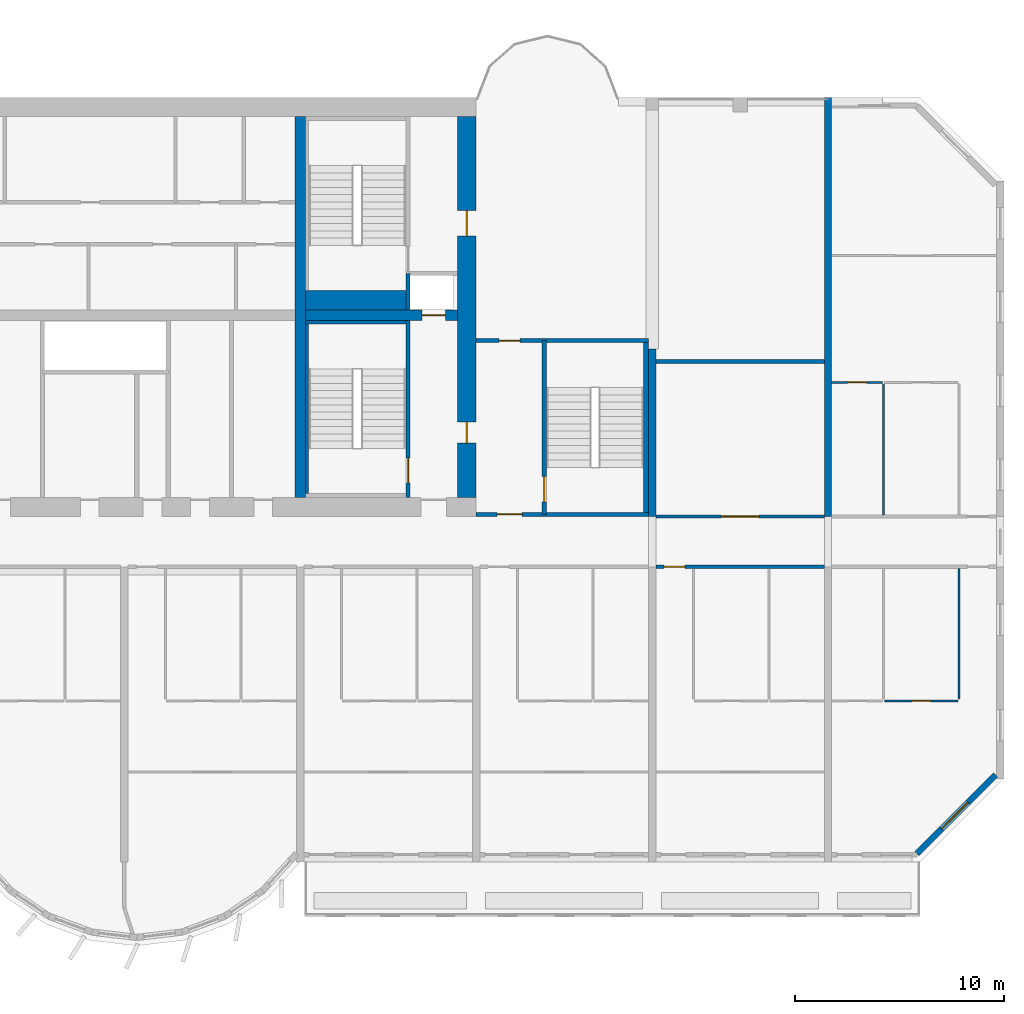
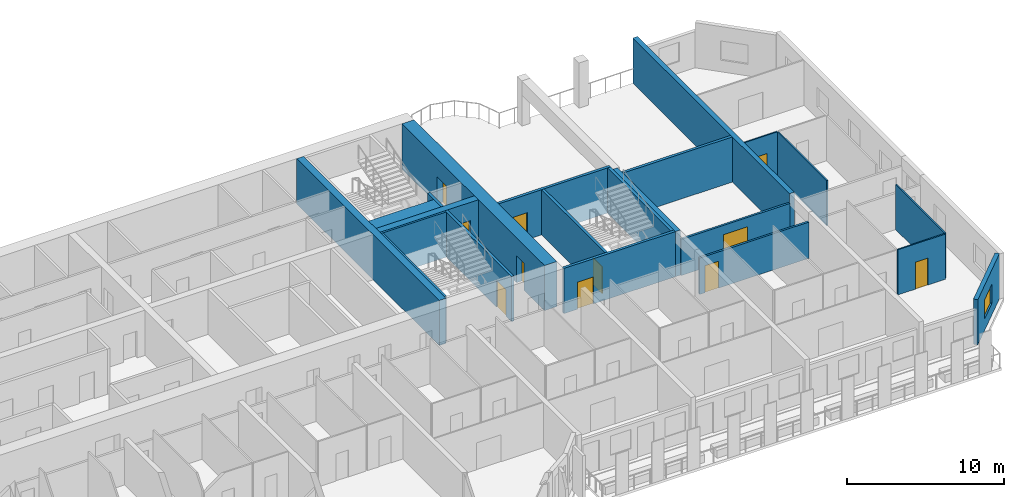
# One storey, part 10 of 15: 22 walls, 11 doors, 1 window, 12 openings.
"""IFC4 building model written with IfcOpenShell, lengths in metres."""

from ifc_helpers import new_model, si_unit, direction, frame, frame_2d, origin, place, context, subcontext, project, spatial, rectangle, extrude, source, transform, mapped, material, layer, layer_set, type_object, element, fill, save


model = new_model("IFC4")

# Units and contexts
model_context = context("Model", 3, precision=1e-05, world=origin(), true_north=direction((0.0, 1.0)))
body_context = subcontext(model_context, "Body", "Model", "MODEL_VIEW")
ifc_project = project(units=[si_unit("LENGTHUNIT", "METRE"), si_unit("AREAUNIT", "SQUARE_METRE"), si_unit("VOLUMEUNIT", "CUBIC_METRE"), si_unit("PLANEANGLEUNIT", "RADIAN"), si_unit("MASSUNIT", "GRAM", prefix="KILO")], contexts=[model_context])

# Site, building, storey
site_placement = place(None, origin())
site = spatial("IfcSite", under=ifc_project, at=site_placement, CompositionType="ELEMENT")
building_placement = place(site_placement, origin())
building = spatial("IfcBuilding", under=site, at=building_placement, Name="Vanashikhar Sky Hotel", CompositionType="ELEMENT")
storey_placement = place(building_placement, frame((0.0, 0.0, 137.0)))
storey = spatial("IfcBuildingStorey", under=building, at=storey_placement, Name="L33", CompositionType="ELEMENT", Elevation=137.0)

# Wall, openings, doors
ifc_material_1 = material(Name="Concrete M70", Category="concrete")
ifc_layer_1 = layer(ifc_material_1, 0.89990234375)
ifc_layer_set_1 = layer_set([ifc_layer_1], Name="RC core shell wall 900 Concrete M70")
wall_type_1 = type_object("IfcWallType", Name="RC core shell wall 900 Concrete M70", PredefinedType="SHEAR", material=ifc_layer_set_1)
shared_shape_1 = source(origin(), body_context, "Body", "SweptSolid", [
    extrude(rectangle(XDim=18.2001953125, YDim=0.89990234375, at=frame_2d((9.10009765625, 0.0))), origin(), (0.0, 0.0, 1.0), 3.52001953125),
])
wall_1_placement = place(storey_placement, frame((75.14990234375, 22.89990234375, 0.0), z_axis=(0.0, 0.0, 1.0), x_axis=(0.0, 1.0, 0.0)))
wall_1 = element("IfcWall", 1, at=wall_1_placement, inside=storey, type_object=wall_type_1, Name="KW-L33-KE", PredefinedType="SHEAR", context=body_context, shape_type="MappedRepresentation", body=[
    mapped(shared_shape_1, transform((0.0, 0.0, 0.0), scale=1.0)),
])
shared_shape_2 = source(origin(), body_context, "Body", "SweptSolid", [
    extrude(rectangle(XDim=1.0, YDim=2.10009765625, at=frame_2d((0.5, 1.050048828125))), frame((0.0, 0.4599609375, 0.0), z_axis=(0.0, -1.0, 0.0), x_axis=(1.0, 0.0, 0.0)), (0.0, 0.0, 1.0), 0.919921875),
])
opening_1_placement = place(wall_1_placement, frame((2.60009765625, 0.0, 0.0)))
opening_1 = element("IfcOpeningElement", 2, at=opening_1_placement, cuts=wall_1, Name="Opening DC-5", PredefinedType="OPENING", context=body_context, shape_type="MappedRepresentation", body=[
    mapped(shared_shape_2, transform((0.0, 0.0, 0.0), scale=1.0)),
])
shared_shape_3 = source(origin(), body_context, "Body", "SweptSolid", [
    extrude(rectangle(XDim=1.199951171875, YDim=2.10009765625, at=frame_2d((0.60009765625, 1.050048828125))), frame((0.0, 0.4599609375, 0.0), z_axis=(0.0, -1.0, 0.0), x_axis=(1.0, 0.0, 0.0)), (0.0, 0.0, 1.0), 0.919921875),
])
opening_2_placement = place(wall_1_placement, frame((12.5, 0.0, 0.0)))
opening_2 = element("IfcOpeningElement", 3, at=opening_2_placement, cuts=wall_1, Name="Opening DC-4-D", PredefinedType="OPENING", context=body_context, shape_type="MappedRepresentation", body=[
    mapped(shared_shape_3, transform((0.0, 0.0, 0.0), scale=1.0)),
])
ifc_material_2 = material(Name="Steel", Category="steel")
door_type_1 = type_object("IfcDoorType", Name="Refuge door 1000 FD120", OperationType="NOTDEFINED", PredefinedType="DOOR", material=ifc_material_2)
shared_shape_4 = source(origin(), body_context, "Body", "SweptSolid", [
    extrude(rectangle(XDim=1.0, YDim=2.10009765625, at=frame_2d((0.5, 1.050048828125))), frame((0.0, 0.02490234375, 0.0), z_axis=(0.0, -1.0, 0.0), x_axis=(1.0, 0.0, 0.0)), (0.0, 0.0, 1.0), 0.050048828125),
])
door_1_placement = place(opening_1_placement, origin())
door_1 = element("IfcDoor", 4, at=door_1_placement, inside=storey, type_object=door_type_1, Name="Refuge door 1000 FD120", OperationType="SINGLE_SWING_LEFT", OverallHeight=2.10009765625, OverallWidth=1.0, PredefinedType="DOOR", context=body_context, shape_type="MappedRepresentation", body=[
    mapped(shared_shape_4, transform((0.0, 0.0, 0.0), scale=1.0)),
])
fill(opening_1, door_1)
door_type_2 = type_object("IfcDoorType", Name="Service door 1200 FD120", OperationType="NOTDEFINED", PredefinedType="DOOR", material=ifc_material_2)
shared_shape_5 = source(origin(), body_context, "Body", "SweptSolid", [
    extrude(rectangle(XDim=1.199951171875, YDim=2.10009765625, at=frame_2d((0.60009765625, 1.050048828125))), frame((0.0, 0.02490234375, 0.0), z_axis=(0.0, -1.0, 0.0), x_axis=(1.0, 0.0, 0.0)), (0.0, 0.0, 1.0), 0.050048828125),
])
door_2_placement = place(opening_2_placement, origin())
door_2 = element("IfcDoor", 5, at=door_2_placement, inside=storey, type_object=door_type_2, Name="Service door 1200 FD120", OperationType="SINGLE_SWING_LEFT", OverallHeight=2.10009765625, OverallWidth=1.199951171875, PredefinedType="DOOR", context=body_context, shape_type="MappedRepresentation", body=[
    mapped(shared_shape_5, transform((0.0, 0.0, 0.0), scale=1.0)),
])
fill(opening_2, door_2)

# Wall
ifc_layer_2 = layer(ifc_material_1, 0.5)
ifc_layer_set_2 = layer_set([ifc_layer_2], Name="RC core inner wall 500 Concrete M70")
wall_type_2 = type_object("IfcWallType", Name="RC core inner wall 500 Concrete M70", PredefinedType="SHEAR", material=ifc_layer_set_2)
shared_shape_6 = source(origin(), body_context, "Body", "SweptSolid", [
    extrude(rectangle(XDim=18.2001953125, YDim=0.5, at=frame_2d((9.10009765625, 0.0))), origin(), (0.0, 0.0, 1.0), 3.52001953125),
])
wall_2_placement = place(storey_placement, frame((67.199951171875, 22.89990234375, 0.0), z_axis=(0.0, 0.0, 1.0), x_axis=(0.0, 1.0, 0.0)))
element("IfcWall", 6, at=wall_2_placement, inside=storey, type_object=wall_type_2, Name="KW-L33-KX3", PredefinedType="SHEAR", context=body_context, shape_type="MappedRepresentation", body=[
    mapped(shared_shape_6, transform((0.0, 0.0, 0.0), scale=1.0)),
])

# Wall, opening, door
shared_shape_7 = source(origin(), body_context, "Body", "SweptSolid", [
    extrude(rectangle(XDim=7.25, YDim=0.5, at=frame_2d((3.625, 0.0))), origin(), (0.0, 0.0, 1.0), 3.52001953125),
])
wall_3_placement = place(storey_placement, frame((67.449951171875, 31.60009765625, 0.0), z_axis=(0.0, 0.0, 1.0), x_axis=(1.0, 0.0, 0.0)))
wall_3 = element("IfcWall", 7, at=wall_3_placement, inside=storey, type_object=wall_type_2, Name="KW-L33-KY4", PredefinedType="SHEAR", context=body_context, shape_type="MappedRepresentation", body=[
    mapped(shared_shape_7, transform((0.0, 0.0, 0.0), scale=1.0)),
])
shared_shape_8 = source(origin(), body_context, "Body", "SweptSolid", [
    extrude(rectangle(XDim=1.10009765625, YDim=2.10009765625, at=frame_2d((0.550048828125, 1.050048828125))), frame((0.0, 0.260009765625, 0.0), z_axis=(0.0, -1.0, 0.0), x_axis=(1.0, 0.0, 0.0)), (0.0, 0.0, 1.0), 0.52001953125),
])
opening_3_placement = place(wall_3_placement, frame((5.574951171875, 0.0, 0.0)))
opening_3 = element("IfcOpeningElement", 8, at=opening_3_placement, cuts=wall_3, Name="Opening LD", PredefinedType="OPENING", context=body_context, shape_type="MappedRepresentation", body=[
    mapped(shared_shape_8, transform((0.0, 0.0, 0.0), scale=1.0)),
])
ifc_material_3 = material(Name="Stainless steel", Category="steel")
door_type_3 = type_object("IfcDoorType", Name="Lift landing door 1100", OperationType="NOTDEFINED", PredefinedType="DOOR", material=ifc_material_3)
shared_shape_9 = source(origin(), body_context, "Body", "SweptSolid", [
    extrude(rectangle(XDim=1.10009765625, YDim=2.10009765625, at=frame_2d((0.550048828125, 1.050048828125))), frame((0.0, 0.02490234375, 0.0), z_axis=(0.0, -1.0, 0.0), x_axis=(1.0, 0.0, 0.0)), (0.0, 0.0, 1.0), 0.050048828125),
])
door_3_placement = place(opening_3_placement, origin())
door_3 = element("IfcDoor", 9, at=door_3_placement, inside=storey, type_object=door_type_3, Name="Lift landing door 1100", OperationType="SLIDING_TO_RIGHT", OverallHeight=2.10009765625, OverallWidth=1.10009765625, PredefinedType="DOOR", context=body_context, shape_type="MappedRepresentation", body=[
    mapped(shared_shape_9, transform((0.0, 0.0, 0.0), scale=1.0)),
])
fill(opening_3, door_3)

# Walls
ifc_layer_3 = layer(ifc_material_1, 0.35009765625)
ifc_layer_set_3 = layer_set([ifc_layer_3], Name="RC shear wall 350 Concrete M70")
wall_type_3 = type_object("IfcWallType", Name="RC shear wall 350 Concrete M70", PredefinedType="SHEAR", material=ifc_layer_set_3)
shared_shape_10 = source(origin(), body_context, "Body", "SweptSolid", [
    extrude(rectangle(XDim=20.0, YDim=0.35009765625, at=frame_2d((10.0, 0.0))), origin(), (0.0, 0.0, 1.0), 3.52001953125),
])
wall_4_placement = place(storey_placement, frame((92.39990234375, 22.0, 0.0), z_axis=(0.0, 0.0, 1.0), x_axis=(0.0, 1.0, 0.0)))
element("IfcWall", 10, at=wall_4_placement, inside=storey, type_object=wall_type_3, Name="CW-L33-XW12-2", PredefinedType="SHEAR", context=body_context, shape_type="MappedRepresentation", body=[
    mapped(shared_shape_10, transform((0.0, 0.0, 0.0), scale=1.0)),
])
shared_shape_11 = source(origin(), body_context, "Body", "SweptSolid", [
    extrude(rectangle(XDim=8.0, YDim=0.35009765625, at=frame_2d((4.0, 0.0))), origin(), (0.0, 0.0, 1.0), 3.52001953125),
])
wall_5_placement = place(storey_placement, frame((84.0, 22.0, 0.0), z_axis=(0.0, 0.0, 1.0), x_axis=(0.0, 1.0, 0.0)))
element("IfcWall", 11, at=wall_5_placement, inside=storey, type_object=wall_type_3, Name="CW-L33-XW11-2", PredefinedType="SHEAR", context=body_context, shape_type="MappedRepresentation", body=[
    mapped(shared_shape_11, transform((0.0, 0.0, 0.0), scale=1.0)),
])

# Wall, opening, window
ifc_material_4 = material(Name="Concrete M50", Category="concrete")
ifc_layer_4 = layer(ifc_material_4, 0.300048828125)
ifc_layer_set_4 = layer_set([ifc_layer_4], Name="Lobe wall 300")
wall_type_4 = type_object("IfcWallType", Name="Lobe wall 300", PredefinedType="SOLIDWALL", material=ifc_layer_set_4)
shared_shape_12 = source(origin(), body_context, "Body", "SweptSolid", [
    extrude(rectangle(XDim=5.32568359375, YDim=0.300048828125, at=frame_2d((2.662841796875, 0.0))), origin(), (0.0, 0.0, 1.0), 3.52001953125),
])
wall_6_placement = place(storey_placement, frame((96.63427734375, 5.89990234375, 0.0), z_axis=(0.0, 0.0, 1.0), x_axis=(0.707083859269, 0.707129702361, 0.0)))
wall_6 = element("IfcWall", 12, at=wall_6_placement, inside=storey, type_object=wall_type_4, Name="Corner wall", PredefinedType="SOLIDWALL", context=body_context, shape_type="MappedRepresentation", body=[
    mapped(shared_shape_12, transform((0.0, 0.0, 0.0), scale=1.0)),
])
shared_shape_13 = source(origin(), body_context, "Body", "SweptSolid", [
    extrude(rectangle(XDim=1.800048828125, YDim=1.5, at=frame_2d((0.89990234375, 0.75))), frame((0.0, 0.16015625, 0.0), z_axis=(0.0, -1.0, 0.0), x_axis=(1.0, 0.0, 0.0)), (0.0, 0.0, 1.0), 0.320068359375),
])
opening_4_placement = place(wall_6_placement, frame((1.671875, 0.0, 0.89990234375)))
opening_4 = element("IfcOpeningElement", 13, at=opening_4_placement, cuts=wall_6, Name="Opening WN-4", PredefinedType="OPENING", context=body_context, shape_type="MappedRepresentation", body=[
    mapped(shared_shape_13, transform((0.0, 0.0, 0.0), scale=1.0)),
])
ifc_material_5 = material(Name="Glass", Category="glass")
window_type = type_object("IfcWindowType", Name="Corner window 1800 x 1500", PartitioningType="SINGLE_PANEL", PredefinedType="WINDOW", material=ifc_material_5)
shared_shape_14 = source(origin(), body_context, "Body", "SweptSolid", [
    extrude(rectangle(XDim=1.800048828125, YDim=1.5, at=frame_2d((0.89990234375, 0.75))), frame((0.0, 0.030029296875, 0.0), z_axis=(0.0, -1.0, 0.0), x_axis=(1.0, 0.0, 0.0)), (0.0, 0.0, 1.0), 0.06005859375),
])
window_placement = place(opening_4_placement, origin())
window = element("IfcWindow", 14, at=window_placement, inside=storey, type_object=window_type, Name="Window WN-4", OverallHeight=1.5, OverallWidth=1.800048828125, PartitioningType="SINGLE_PANEL", PredefinedType="WINDOW", context=body_context, shape_type="MappedRepresentation", body=[
    mapped(shared_shape_14, transform((0.0, 0.0, 0.0), scale=1.0)),
])
fill(opening_4, window)

# Wall, opening, door
ifc_layer_5 = layer(ifc_material_4, 0.199951171875)
ifc_layer_set_5 = layer_set([ifc_layer_5], Name="Stair wall 200")
wall_type_5 = type_object("IfcWallType", Name="Stair wall 200", PredefinedType="SOLIDWALL", material=ifc_layer_set_5)
shared_shape_15 = source(origin(), body_context, "Body", "SweptSolid", [
    extrude(rectangle(XDim=8.2998046875, YDim=0.199951171875, at=frame_2d((4.14990234375, 0.0))), origin(), (0.0, 0.0, 1.0), 3.52001953125),
])
wall_7_placement = place(storey_placement, frame((78.85009765625, 22.10009765625, 0.0), z_axis=(0.0, 0.0, 1.0), x_axis=(0.0, 1.0, 0.0)))
wall_7 = element("IfcWall", 15, at=wall_7_placement, inside=storey, type_object=wall_type_5, Name="Stair wall 200", PredefinedType="SOLIDWALL", context=body_context, shape_type="MappedRepresentation", body=[
    mapped(shared_shape_15, transform((0.0, 0.0, 0.0), scale=1.0)),
])
shared_shape_16 = source(origin(), body_context, "Body", "SweptSolid", [
    extrude(rectangle(XDim=1.199951171875, YDim=2.10009765625, at=frame_2d((0.60009765625, 1.050048828125))), frame((0.0, 0.10986328125, 0.0), z_axis=(0.0, -1.0, 0.0), x_axis=(1.0, 0.0, 0.0)), (0.0, 0.0, 1.0), 0.219970703125),
])
opening_5_placement = place(wall_7_placement, frame((0.60009765625, 0.0, 0.0)))
opening_5 = element("IfcOpeningElement", 16, at=opening_5_placement, cuts=wall_7, Name="Opening DC-1", PredefinedType="OPENING", context=body_context, shape_type="MappedRepresentation", body=[
    mapped(shared_shape_16, transform((0.0, 0.0, 0.0), scale=1.0)),
])
door_type_4 = type_object("IfcDoorType", Name="Stair door 1200 FD120", OperationType="NOTDEFINED", PredefinedType="DOOR", material=ifc_material_2)
door_4_placement = place(opening_5_placement, origin())
door_4 = element("IfcDoor", 17, at=door_4_placement, inside=storey, type_object=door_type_4, Name="Stair door 1200 FD120", OperationType="SINGLE_SWING_RIGHT", OverallHeight=2.10009765625, OverallWidth=1.199951171875, PredefinedType="DOOR", context=body_context, shape_type="MappedRepresentation", body=[
    mapped(shared_shape_5, transform((0.0, 0.0, 0.0), scale=1.0)),
])
fill(opening_5, door_4)

shared_shape_17 = source(origin(), body_context, "Body", "SweptSolid", [
    extrude(rectangle(XDim=8.4501953125, YDim=0.199951171875, at=frame_2d((4.22509765625, 0.0))), origin(), (0.0, 0.0, 1.0), 3.52001953125),
])
wall_8_placement = place(storey_placement, frame((72.35009765625, 22.89990234375, 0.0), z_axis=(0.0, 0.0, 1.0), x_axis=(0.0, 1.0, 0.0)))
wall_8 = element("IfcWall", 18, at=wall_8_placement, inside=storey, type_object=wall_type_5, Name="Stair wall 200", PredefinedType="SOLIDWALL", context=body_context, shape_type="MappedRepresentation", body=[
    mapped(shared_shape_17, transform((0.0, 0.0, 0.0), scale=1.0)),
])
opening_6_placement = place(wall_8_placement, frame((0.699951171875, 0.0, 0.0)))
opening_6 = element("IfcOpeningElement", 19, at=opening_6_placement, cuts=wall_8, Name="Opening DC-1", PredefinedType="OPENING", context=body_context, shape_type="MappedRepresentation", body=[
    mapped(shared_shape_16, transform((0.0, 0.0, 0.0), scale=1.0)),
])
door_5_placement = place(opening_6_placement, origin())
door_5 = element("IfcDoor", 20, at=door_5_placement, inside=storey, type_object=door_type_4, Name="Stair door 1200 FD120", OperationType="SINGLE_SWING_RIGHT", OverallHeight=2.10009765625, OverallWidth=1.199951171875, PredefinedType="DOOR", context=body_context, shape_type="MappedRepresentation", body=[
    mapped(shared_shape_5, transform((0.0, 0.0, 0.0), scale=1.0)),
])
fill(opening_6, door_5)

# Wall
ifc_material_6 = material(Name="Concrete M40", Category="concrete")
ifc_layer_6 = layer(ifc_material_6, 0.199951171875)
ifc_layer_set_6 = layer_set([ifc_layer_6], Name="Shaft wall 200")
wall_type_6 = type_object("IfcWallType", Name="Shaft wall 200", PredefinedType="SOLIDWALL", material=ifc_layer_set_6)
shared_shape_18 = source(origin(), body_context, "Body", "SweptSolid", [
    extrude(rectangle(XDim=1.75, YDim=0.199951171875, at=frame_2d((0.875, 0.0))), origin(), (0.0, 0.0, 1.0), 3.52001953125),
])
wall_9_placement = place(storey_placement, frame((72.35009765625, 31.85009765625, 0.0), z_axis=(0.0, 0.0, 1.0), x_axis=(0.0, 1.0, 0.0)))
element("IfcWall", 21, at=wall_9_placement, inside=storey, type_object=wall_type_6, Name="Shaft wall 200", PredefinedType="SOLIDWALL", context=body_context, shape_type="MappedRepresentation", body=[
    mapped(shared_shape_18, transform((0.0, 0.0, 0.0), scale=1.0)),
])

# Wall, opening, door
shared_shape_19 = source(origin(), body_context, "Body", "SweptSolid", [
    extrude(rectangle(XDim=8.224853515625, YDim=0.199951171875, at=frame_2d((4.1123046875, 0.0))), origin(), (0.0, 0.0, 1.0), 3.52001953125),
])
wall_10_placement = place(storey_placement, frame((83.824951171875, 22.10009765625, 0.0), z_axis=(0.0, 0.0, 1.0), x_axis=(-1.0, 0.0, 0.0)))
wall_10 = element("IfcWall", 22, at=wall_10_placement, inside=storey, type_object=wall_type_5, Name="Stair wall 200", PredefinedType="SOLIDWALL", context=body_context, shape_type="MappedRepresentation", body=[
    mapped(shared_shape_19, transform((0.0, 0.0, 0.0), scale=1.0)),
])
opening_7_placement = place(wall_10_placement, frame((6.02490234375, 0.0, 0.0)))
opening_7 = element("IfcOpeningElement", 23, at=opening_7_placement, cuts=wall_10, Name="Opening DC-2", PredefinedType="OPENING", context=body_context, shape_type="MappedRepresentation", body=[
    mapped(shared_shape_16, transform((0.0, 0.0, 0.0), scale=1.0)),
])
door_type_5 = type_object("IfcDoorType", Name="Firefighting lobby door 1200 FD120", OperationType="NOTDEFINED", PredefinedType="DOOR", material=ifc_material_2)
door_6_placement = place(opening_7_placement, origin())
door_6 = element("IfcDoor", 24, at=door_6_placement, inside=storey, type_object=door_type_5, Name="Firefighting lobby door 1200 FD120", OperationType="SINGLE_SWING_LEFT", OverallHeight=2.10009765625, OverallWidth=1.199951171875, PredefinedType="DOOR", context=body_context, shape_type="MappedRepresentation", body=[
    mapped(shared_shape_5, transform((0.0, 0.0, 0.0), scale=1.0)),
])
fill(opening_7, door_6)

wall_11_placement = place(storey_placement, frame((83.824951171875, 30.39990234375, 0.0), z_axis=(0.0, 0.0, 1.0), x_axis=(-1.0, 0.0, 0.0)))
wall_11 = element("IfcWall", 25, at=wall_11_placement, inside=storey, type_object=wall_type_5, Name="Stair wall 200", PredefinedType="SOLIDWALL", context=body_context, shape_type="MappedRepresentation", body=[
    mapped(shared_shape_19, transform((0.0, 0.0, 0.0), scale=1.0)),
])
shared_shape_20 = source(origin(), body_context, "Body", "SweptSolid", [
    extrude(rectangle(XDim=1.0, YDim=2.10009765625, at=frame_2d((0.5, 1.050048828125))), frame((0.0, 0.10986328125, 0.0), z_axis=(0.0, -1.0, 0.0), x_axis=(1.0, 0.0, 0.0)), (0.0, 0.0, 1.0), 0.219970703125),
])
opening_8_placement = place(wall_11_placement, frame((6.125, 0.0, 0.0)))
opening_8 = element("IfcOpeningElement", 26, at=opening_8_placement, cuts=wall_11, Name="Opening DC-6", PredefinedType="OPENING", context=body_context, shape_type="MappedRepresentation", body=[
    mapped(shared_shape_20, transform((0.0, 0.0, 0.0), scale=1.0)),
])
door_type_6 = type_object("IfcDoorType", Name="Pocket door 1000 FD60", OperationType="NOTDEFINED", PredefinedType="DOOR", material=ifc_material_2)
door_7_placement = place(opening_8_placement, origin())
door_7 = element("IfcDoor", 27, at=door_7_placement, inside=storey, type_object=door_type_6, Name="Pocket door 1000 FD60", OperationType="SINGLE_SWING_LEFT", OverallHeight=2.10009765625, OverallWidth=1.0, PredefinedType="DOOR", context=body_context, shape_type="MappedRepresentation", body=[
    mapped(shared_shape_4, transform((0.0, 0.0, 0.0), scale=1.0)),
])
fill(opening_8, door_7)

# Walls
ifc_layer_7 = layer(ifc_material_4, 0.14990234375)
ifc_layer_set_7 = layer_set([ifc_layer_7], Name="Stair infill wall 150")
wall_type_7 = type_object("IfcWallType", Name="Stair infill wall 150", PredefinedType="SOLIDWALL", material=ifc_layer_set_7)
shared_shape_21 = source(origin(), body_context, "Body", "SweptSolid", [
    extrude(rectangle(XDim=4.800048828125, YDim=0.14990234375, at=frame_2d((2.39990234375, 0.0))), origin(), (0.0, 0.0, 1.0), 3.52001953125),
])
wall_12_placement = place(storey_placement, frame((67.449951171875, 31.27490234375, 0.0), z_axis=(0.0, 0.0, 1.0), x_axis=(1.0, 0.0, 0.0)))
element("IfcWall", 28, at=wall_12_placement, inside=storey, type_object=wall_type_7, Name="Stair infill wall 150", PredefinedType="SOLIDWALL", context=body_context, shape_type="MappedRepresentation", body=[
    mapped(shared_shape_21, transform((0.0, 0.0, 0.0), scale=1.0)),
])
shared_shape_22 = source(origin(), body_context, "Body", "SweptSolid", [
    extrude(rectangle(XDim=8.099853515625, YDim=0.14990234375, at=frame_2d((4.0498046875, 0.0))), origin(), (0.0, 0.0, 1.0), 3.52001953125),
])
wall_13_placement = place(storey_placement, frame((67.52490234375, 23.10009765625, 0.0), z_axis=(0.0, 0.0, 1.0), x_axis=(0.0, 1.0, 0.0)))
element("IfcWall", 29, at=wall_13_placement, inside=storey, type_object=wall_type_7, Name="Stair infill wall 150", PredefinedType="SOLIDWALL", context=body_context, shape_type="MappedRepresentation", body=[
    mapped(shared_shape_22, transform((0.0, 0.0, 0.0), scale=1.0)),
])
ifc_layer_8 = layer(ifc_material_4, 0.22509765625)
ifc_layer_set_8 = layer_set([ifc_layer_8], Name="Stair infill wall 225")
wall_type_8 = type_object("IfcWallType", Name="Stair infill wall 225", PredefinedType="SOLIDWALL", material=ifc_layer_set_8)
shared_shape_23 = source(origin(), body_context, "Body", "SweptSolid", [
    extrude(rectangle(XDim=8.10009765625, YDim=0.22509765625, at=frame_2d((4.050048828125, 0.0))), origin(), (0.0, 0.0, 1.0), 3.52001953125),
])
wall_14_placement = place(storey_placement, frame((83.712890625, 22.199951171875, 0.0), z_axis=(0.0, 0.0, 1.0), x_axis=(0.0, 1.0, 0.0)))
element("IfcWall", 30, at=wall_14_placement, inside=storey, type_object=wall_type_8, Name="Stair infill wall 225", PredefinedType="SOLIDWALL", context=body_context, shape_type="MappedRepresentation", body=[
    mapped(shared_shape_23, transform((0.0, 0.0, 0.0), scale=1.0)),
])
ifc_layer_9 = layer(ifc_material_4, 0.949951171875)
ifc_layer_set_9 = layer_set([ifc_layer_9], Name="Stair infill wall 950")
wall_type_9 = type_object("IfcWallType", Name="Stair infill wall 950", PredefinedType="SOLIDWALL", material=ifc_layer_set_9)
shared_shape_24 = source(origin(), body_context, "Body", "SweptSolid", [
    extrude(rectangle(XDim=4.800048828125, YDim=0.949951171875, at=frame_2d((2.39990234375, 0.0))), origin(), (0.0, 0.0, 1.0), 3.52001953125),
])
wall_15_placement = place(storey_placement, frame((67.449951171875, 32.324951171875, 0.0), z_axis=(0.0, 0.0, 1.0), x_axis=(1.0, 0.0, 0.0)))
element("IfcWall", 31, at=wall_15_placement, inside=storey, type_object=wall_type_9, Name="Stair infill wall 950", PredefinedType="SOLIDWALL", context=body_context, shape_type="MappedRepresentation", body=[
    mapped(shared_shape_24, transform((0.0, 0.0, 0.0), scale=1.0)),
])

# Wall, opening, door
ifc_material_7 = material(Name="Gypsum plasterboard partition")
ifc_layer_10 = layer(ifc_material_7, 0.10009765625)
ifc_layer_set_10 = layer_set([ifc_layer_10], Name="Wet room partition 100")
wall_type_10 = type_object("IfcWallType", Name="Wet room partition 100", PredefinedType="PARTITIONING", material=ifc_layer_set_10)
shared_shape_25 = source(origin(), body_context, "Body", "SweptSolid", [
    extrude(rectangle(XDim=3.5, YDim=0.10009765625, at=frame_2d((1.75, 0.0))), origin(), (0.0, 0.0, 1.0), 3.52001953125),
])
wall_16_placement = place(storey_placement, frame((95.10009765625, 13.199951171875, 0.0), z_axis=(0.0, 0.0, 1.0), x_axis=(1.0, 0.0, 0.0)))
wall_16 = element("IfcWall", 32, at=wall_16_placement, inside=storey, type_object=wall_type_10, Name="W-L33-PW067", PredefinedType="PARTITIONING", context=body_context, shape_type="MappedRepresentation", body=[
    mapped(shared_shape_25, transform((0.0, 0.0, 0.0), scale=1.0)),
])
shared_shape_26 = source(origin(), body_context, "Body", "SweptSolid", [
    extrude(rectangle(XDim=0.89990234375, YDim=2.10009765625, at=frame_2d((0.449951171875, 1.050048828125))), frame((0.0, 0.06005859375, 0.0), z_axis=(0.0, -1.0, 0.0), x_axis=(1.0, 0.0, 0.0)), (0.0, 0.0, 1.0), 0.1201171875),
])
opening_9_placement = place(wall_16_placement, frame((1.300048828125, 0.0, 0.0)))
opening_9 = element("IfcOpeningElement", 33, at=opening_9_placement, cuts=wall_16, Name="Opening D-02", PredefinedType="OPENING", context=body_context, shape_type="MappedRepresentation", body=[
    mapped(shared_shape_26, transform((0.0, 0.0, 0.0), scale=1.0)),
])
ifc_material_8 = material(Name="Timber door", Category="wood")
door_type_7 = type_object("IfcDoorType", Name="Internal door 900", OperationType="NOTDEFINED", PredefinedType="DOOR", material=ifc_material_8)
shared_shape_27 = source(origin(), body_context, "Body", "SweptSolid", [
    extrude(rectangle(XDim=0.89990234375, YDim=2.10009765625, at=frame_2d((0.449951171875, 1.050048828125))), frame((0.0, 0.02490234375, 0.0), z_axis=(0.0, -1.0, 0.0), x_axis=(1.0, 0.0, 0.0)), (0.0, 0.0, 1.0), 0.050048828125),
])
door_8_placement = place(opening_9_placement, origin())
door_8 = element("IfcDoor", 34, at=door_8_placement, inside=storey, type_object=door_type_7, Name="D-L33-042", OperationType="SINGLE_SWING_RIGHT", OverallHeight=2.10009765625, OverallWidth=0.89990234375, PredefinedType="DOOR", context=body_context, shape_type="MappedRepresentation", body=[
    mapped(shared_shape_27, transform((0.0, 0.0, 0.0), scale=1.0)),
])
fill(opening_9, door_8)

# Walls
shared_shape_28 = source(origin(), body_context, "Body", "SweptSolid", [
    extrude(rectangle(XDim=6.25, YDim=0.10009765625, at=frame_2d((3.125, 0.0))), origin(), (0.0, 0.0, 1.0), 3.52001953125),
])
for number, where, z_axis, x_axis, name in (
    (35, (98.64990234375, 13.27490234375, 0.0), (0.0, 0.0, 1.0), (0.0, 1.0, 0.0), "W-L33-PW065"),
    (36, (95.050048828125, 22.074951171875, 0.0), (0.0, 0.0, 1.0), (0.0, 1.0, 0.0), "W-L33-PW088"),
):
    element("IfcWall", number, at=place(storey_placement, frame(where, z_axis=z_axis, x_axis=x_axis)), inside=storey, type_object=wall_type_10, Name=name, PredefinedType="PARTITIONING", context=body_context, shape_type="MappedRepresentation", body=[
        mapped(shared_shape_28, transform((0.0, 0.0, 0.0), scale=1.0)),
    ])

# Wall, opening, door
ifc_layer_11 = layer(ifc_material_7, 0.14990234375)
ifc_layer_set_11 = layer_set([ifc_layer_11], Name="Corridor and demising partition 150")
wall_type_11 = type_object("IfcWallType", Name="Corridor and demising partition 150", PredefinedType="PARTITIONING", material=ifc_layer_set_11)
shared_shape_29 = source(origin(), body_context, "Body", "SweptSolid", [
    extrude(rectangle(XDim=8.050048828125, YDim=0.14990234375, at=frame_2d((4.02490234375, 0.0))), origin(), (0.0, 0.0, 1.0), 2.820068359375),
])
wall_17_placement = place(storey_placement, frame((84.175048828125, 19.60009765625, 0.0), z_axis=(0.0, 0.0, 1.0), x_axis=(1.0, 0.0, 0.0)))
wall_17 = element("IfcWall", 37, at=wall_17_placement, inside=storey, type_object=wall_type_11, Name="W-L33-PW064", PredefinedType="PARTITIONING", context=body_context, shape_type="MappedRepresentation", body=[
    mapped(shared_shape_29, transform((0.0, 0.0, 0.0), scale=1.0)),
])
shared_shape_30 = source(origin(), body_context, "Body", "SweptSolid", [
    extrude(rectangle(XDim=1.0, YDim=2.10009765625, at=frame_2d((0.5, 1.050048828125))), frame((0.0, 0.0849609375, 0.0), z_axis=(0.0, -1.0, 0.0), x_axis=(1.0, 0.0, 0.0)), (0.0, 0.0, 1.0), 0.169921875),
])
opening_10_placement = place(wall_17_placement, frame((0.39990234375, 0.0, 0.0)))
opening_10 = element("IfcOpeningElement", 38, at=opening_10_placement, cuts=wall_17, Name="Opening D-01", PredefinedType="OPENING", context=body_context, shape_type="MappedRepresentation", body=[
    mapped(shared_shape_30, transform((0.0, 0.0, 0.0), scale=1.0)),
])
ifc_material_9 = material(Name="Timber fire door", Category="wood")
door_type_8 = type_object("IfcDoorType", Name="Guest entry door 1000 FD30S", OperationType="NOTDEFINED", PredefinedType="DOOR", material=ifc_material_9)
door_9_placement = place(opening_10_placement, origin())
door_9 = element("IfcDoor", 39, at=door_9_placement, inside=storey, type_object=door_type_8, Name="D-L33-041", OperationType="SINGLE_SWING_LEFT", OverallHeight=2.10009765625, OverallWidth=1.0, PredefinedType="DOOR", context=body_context, shape_type="MappedRepresentation", body=[
    mapped(shared_shape_4, transform((0.0, 0.0, 0.0), scale=1.0)),
])
fill(opening_10, door_9)

wall_18_placement = place(storey_placement, frame((84.175048828125, 22.0, 0.0), z_axis=(0.0, 0.0, 1.0), x_axis=(1.0, 0.0, 0.0)))
wall_18 = element("IfcWall", 40, at=wall_18_placement, inside=storey, type_object=wall_type_11, Name="W-L33-PW085", PredefinedType="PARTITIONING", context=body_context, shape_type="MappedRepresentation", body=[
    mapped(shared_shape_29, transform((0.0, 0.0, 0.0), scale=1.0)),
])
shared_shape_31 = source(origin(), body_context, "Body", "SweptSolid", [
    extrude(rectangle(XDim=1.800048828125, YDim=2.10009765625, at=frame_2d((0.89990234375, 1.050048828125))), frame((0.0, 0.0849609375, 0.0), z_axis=(0.0, -1.0, 0.0), x_axis=(1.0, 0.0, 0.0)), (0.0, 0.0, 1.0), 0.169921875),
])
opening_11_placement = place(wall_18_placement, frame((3.125, 0.0, 0.0)))
opening_11 = element("IfcOpeningElement", 41, at=opening_11_placement, cuts=wall_18, Name="Opening D-03", PredefinedType="OPENING", context=body_context, shape_type="MappedRepresentation", body=[
    mapped(shared_shape_31, transform((0.0, 0.0, 0.0), scale=1.0)),
])
door_type_9 = type_object("IfcDoorType", Name="Double leaf door 1800 FD30S", OperationType="NOTDEFINED", PredefinedType="DOOR", material=ifc_material_9)
shared_shape_32 = source(origin(), body_context, "Body", "SweptSolid", [
    extrude(rectangle(XDim=1.800048828125, YDim=2.10009765625, at=frame_2d((0.89990234375, 1.050048828125))), frame((0.0, 0.02490234375, 0.0), z_axis=(0.0, -1.0, 0.0), x_axis=(1.0, 0.0, 0.0)), (0.0, 0.0, 1.0), 0.050048828125),
])
door_10_placement = place(opening_11_placement, origin())
door_10 = element("IfcDoor", 42, at=door_10_placement, inside=storey, type_object=door_type_9, Name="D-L33-053", OperationType="DOUBLE_DOOR_SINGLE_SWING", OverallHeight=2.10009765625, OverallWidth=1.800048828125, PredefinedType="DOOR", context=body_context, shape_type="MappedRepresentation", body=[
    mapped(shared_shape_32, transform((0.0, 0.0, 0.0), scale=1.0)),
])
fill(opening_11, door_10)

# Wall
ifc_material_10 = material(Name="Masonry partition", Category="masonry")
ifc_layer_12 = layer(ifc_material_10, 0.199951171875)
ifc_layer_set_12 = layer_set([ifc_layer_12], Name="Refuge enclosure wall 200")
wall_type_12 = type_object("IfcWallType", Name="Refuge enclosure wall 200", PredefinedType="PARTITIONING", material=ifc_layer_set_12)
shared_shape_33 = source(origin(), body_context, "Body", "SweptSolid", [
    extrude(rectangle(XDim=8.050048828125, YDim=0.199951171875, at=frame_2d((4.02490234375, 0.0))), origin(), (0.0, 0.0, 1.0), 3.52001953125),
])
wall_19_placement = place(storey_placement, frame((84.175048828125, 29.39990234375, 0.0), z_axis=(0.0, 0.0, 1.0), x_axis=(1.0, 0.0, 0.0)))
element("IfcWall", 43, at=wall_19_placement, inside=storey, type_object=wall_type_12, Name="W-L33-PW086", PredefinedType="PARTITIONING", context=body_context, shape_type="MappedRepresentation", body=[
    mapped(shared_shape_33, transform((0.0, 0.0, 0.0), scale=1.0)),
])

# Wall, opening, door
shared_shape_34 = source(origin(), body_context, "Body", "SweptSolid", [
    extrude(rectangle(XDim=2.425048828125, YDim=0.10009765625, at=frame_2d((1.21240234375, 0.0))), origin(), (0.0, 0.0, 1.0), 3.52001953125),
])
wall_20_placement = place(storey_placement, frame((92.574951171875, 28.39990234375, 0.0), z_axis=(0.0, 0.0, 1.0), x_axis=(1.0, 0.0, 0.0)))
wall_20 = element("IfcWall", 44, at=wall_20_placement, inside=storey, type_object=wall_type_10, Name="W-L33-PW090", PredefinedType="PARTITIONING", context=body_context, shape_type="MappedRepresentation", body=[
    mapped(shared_shape_34, transform((0.0, 0.0, 0.0), scale=1.0)),
])
opening_12_placement = place(wall_20_placement, frame((0.762939453125, 0.0, 0.0)))
opening_12 = element("IfcOpeningElement", 45, at=opening_12_placement, cuts=wall_20, Name="Opening D-02", PredefinedType="OPENING", context=body_context, shape_type="MappedRepresentation", body=[
    mapped(shared_shape_26, transform((0.0, 0.0, 0.0), scale=1.0)),
])
door_11_placement = place(opening_12_placement, origin())
door_11 = element("IfcDoor", 46, at=door_11_placement, inside=storey, type_object=door_type_7, Name="D-L33-055", OperationType="SINGLE_SWING_RIGHT", OverallHeight=2.10009765625, OverallWidth=0.89990234375, PredefinedType="DOOR", context=body_context, shape_type="MappedRepresentation", body=[
    mapped(shared_shape_27, transform((0.0, 0.0, 0.0), scale=1.0)),
])
fill(opening_12, door_11)

save(model, "model.ifc")
